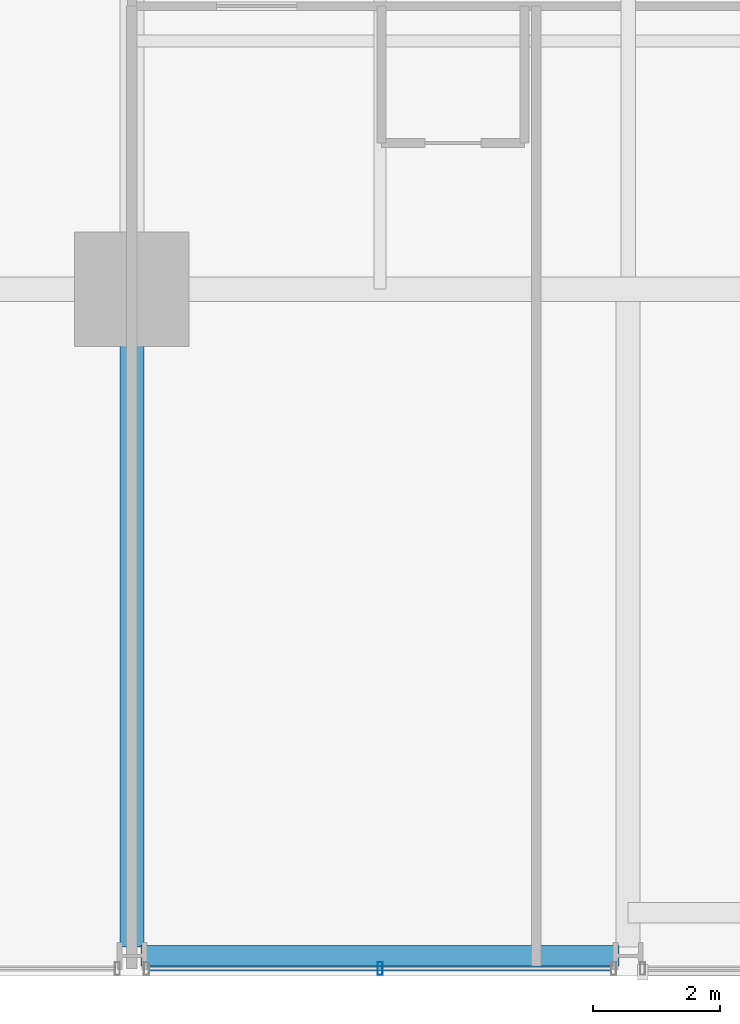
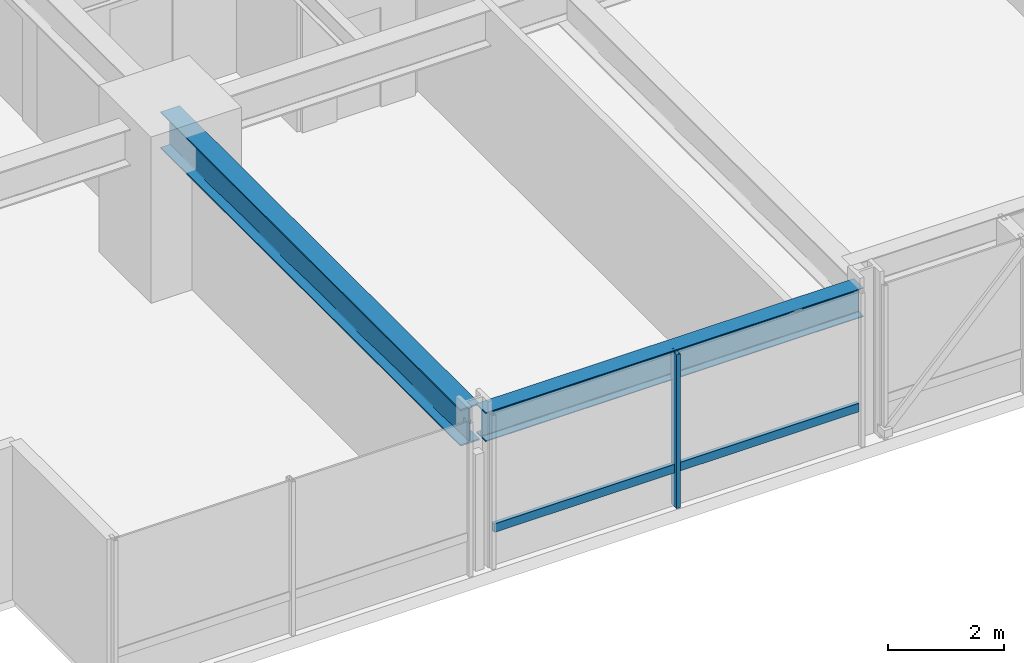
# One storey, part 3 of 37: 2 beams, 2 members, 1 element without a shape of its own.
"""IFC4 building model written with IfcOpenShell, lengths in metres."""

from ifc_helpers import new_model, si_unit, direction, frame, origin, origin_2d, place, context, subcontext, project, spatial, hollow_rectangle, i_section, extrude, material, layer, layer_set, material_profile, profile_set, type_object, element, aggregate, save


model = new_model("IFC4")

# Units and contexts
model_context = context("Model", 3, precision=1e-05, world=origin(), true_north=direction((0.0, 1.0)))
body_context = subcontext(model_context, "Body", "Model", "MODEL_VIEW")
ifc_project = project(units=[si_unit("LENGTHUNIT", "METRE"), si_unit("AREAUNIT", "SQUARE_METRE"), si_unit("VOLUMEUNIT", "CUBIC_METRE"), si_unit("PLANEANGLEUNIT", "RADIAN"), si_unit("MASSUNIT", "GRAM", prefix="KILO")], contexts=[model_context])

# Site, building, storey
site_placement = place(None, origin())
site = spatial("IfcSite", under=ifc_project, at=site_placement, CompositionType="ELEMENT")
building_placement = place(site_placement, origin())
building = spatial("IfcBuilding", under=site, at=building_placement, Name="Drelvath Grand Hotel", CompositionType="ELEMENT")
storey_placement = place(building_placement, frame((0.0, 0.0, 75.199951171875)))
storey = spatial("IfcBuildingStorey", under=building, at=storey_placement, Name="L18", CompositionType="ELEMENT", Elevation=75.199951171875)

# Curtain wall, members
ifc_material_1 = material(Name="Warm Bronze Anodised Aluminium Frame", Category="aluminium")
ifc_layer = layer(ifc_material_1, 0.199951171875)
ifc_layer_set = layer_set([ifc_layer], Name="Warm Bronze Anodised Aluminium Frame")
curtain_wall_type = type_object("IfcCurtainWallType", Name="Stick Curtain Wall CW-02 Warm Bronze Low-Rise", PredefinedType="NOTDEFINED", material=ifc_layer_set)
curtain_wall_placement = place(storey_placement, origin())
curtain_wall = element("IfcCurtainWall", 1, at=curtain_wall_placement, inside=storey, type_object=curtain_wall_type, Name="L18 CW-02 Curtain Wall CW02-L18-SW2", PredefinedType="NOTDEFINED")
ifc_material_profile_1 = material_profile(ifc_material_1, hollow_rectangle(XDim=0.074951171875, YDim=0.179931640625, WallThickness=0.0048828125, at=origin_2d()), Name="HSS180X75X5")
ifc_profile_set_1 = profile_set([ifc_material_profile_1], Name="Warm Bronze Anodised Aluminium Frame")
member_type_1 = type_object("IfcMemberType", Name="Curtain Wall Horizontal Transom CW-02 HSS180X75X5", PredefinedType="USERDEFINED", material=ifc_profile_set_1)
member_1_placement = place(storey_placement, frame((-8.669189453125, 0.1201171875, 0.81005859375), z_axis=(-1.0, 0.0, 0.0), x_axis=(0.0, -1.0, 0.0)))
member_1 = element("IfcMember", 2, at=member_1_placement, type_object=member_type_1, Name="CW02-L18-SW2 Sill Transom", ObjectType="TRANSOM", PredefinedType="USERDEFINED", context=body_context, shape_type="SweptSolid", body=[
    extrude(hollow_rectangle(XDim=0.074951171875, YDim=0.179931640625, WallThickness=0.0048828125, at=origin_2d()), origin(), (0.0, 0.0, 1.0), 7.26171875),
])
ifc_material_profile_2 = material_profile(ifc_material_1, hollow_rectangle(XDim=0.080078125, YDim=0.199951171875, WallThickness=0.0048828125, at=origin_2d()), Name="HSS200X80X5")
ifc_profile_set_2 = profile_set([ifc_material_profile_2], Name="Warm Bronze Anodised Aluminium Frame")
member_type_2 = type_object("IfcMemberType", Name="Curtain Wall Vertical Mullion CW-02 HSS200X80X5", PredefinedType="MULLION", material=ifc_profile_set_2)
member_2_placement = place(storey_placement, frame((-12.300048828125, 0.1201171875, 0.0), z_axis=(0.0, 0.0, 1.0), x_axis=(1.0, 0.0, 0.0)))
member_2 = element("IfcMember", 3, at=member_2_placement, type_object=member_type_2, Name="CW02-L18-SW2 Mullion 2", PredefinedType="MULLION", context=body_context, shape_type="SweptSolid", body=[
    extrude(hollow_rectangle(XDim=0.080078125, YDim=0.199951171875, WallThickness=0.0048828125, at=origin_2d()), origin(), (0.0, 0.0, 1.0), 3.239990234375),
])
aggregate(curtain_wall, [member_2, member_1])

# Beams
ifc_material_2 = material(Name="Steel ASTM A992 Gr 50", Category="steel")
ifc_material_profile_3 = material_profile(ifc_material_2, i_section(OverallWidth=0.323974609375, OverallDepth=0.611083984375, WebThickness=0.0126953125, FlangeThickness=0.01904296875, FilletRadius=0.02197265625, at=origin_2d()), Name="W24X104")
ifc_profile_set_3 = profile_set([ifc_material_profile_3], Name="Steel ASTM A992 Gr 50")
beam_type_1 = type_object("IfcBeamType", Name="Perimeter Spandrel Beam W24X104", PredefinedType="SPANDREL", material=ifc_profile_set_3)
beam_1_placement = place(storey_placement, frame((-16.06005859375, 0.320068359375, 2.9345703125), z_axis=(1.0, 0.0, 0.0), x_axis=(0.0, 1.0, 0.0)))
element("IfcBeam", 4, at=beam_1_placement, inside=storey, type_object=beam_type_1, Name="L18 Spandrel South W", PredefinedType="SPANDREL", context=body_context, shape_type="SweptSolid", body=[
    extrude(i_section(OverallWidth=0.323974609375, OverallDepth=0.611083984375, WebThickness=0.0126953125, FlangeThickness=0.01904296875, FilletRadius=0.02197265625, at=origin_2d()), origin(), (0.0, 0.0, 1.0), 7.52001953125),
])
ifc_material_profile_4 = material_profile(ifc_material_2, i_section(OverallWidth=0.380615234375, OverallDepth=0.773193359375, WebThickness=0.0166015625, FlangeThickness=0.027099609375, FilletRadius=0.02490234375, at=origin_2d()), Name="W30X173")
ifc_profile_set_4 = profile_set([ifc_material_profile_4], Name="Steel ASTM A992 Gr 50")
beam_type_2 = type_object("IfcBeamType", Name="Primary Floor Girder W30X173", PredefinedType="BEAM", material=ifc_profile_set_4)
beam_2_placement = place(storey_placement, frame((-16.199951171875, 0.4599609375, 2.853515625), z_axis=(0.0, 1.0, 0.0), x_axis=(-1.0, 0.0, 0.0)))
element("IfcBeam", 5, at=beam_2_placement, inside=storey, type_object=beam_type_2, Name="L18 South Grid Girder 3", PredefinedType="BEAM", context=body_context, shape_type="SweptSolid", body=[
    extrude(i_section(OverallWidth=0.380615234375, OverallDepth=0.773193359375, WebThickness=0.0166015625, FlangeThickness=0.027099609375, FilletRadius=0.02490234375, at=origin_2d()), origin(), (0.0, 0.0, 1.0), 10.340087890625),
])

save(model, "model.ifc")
